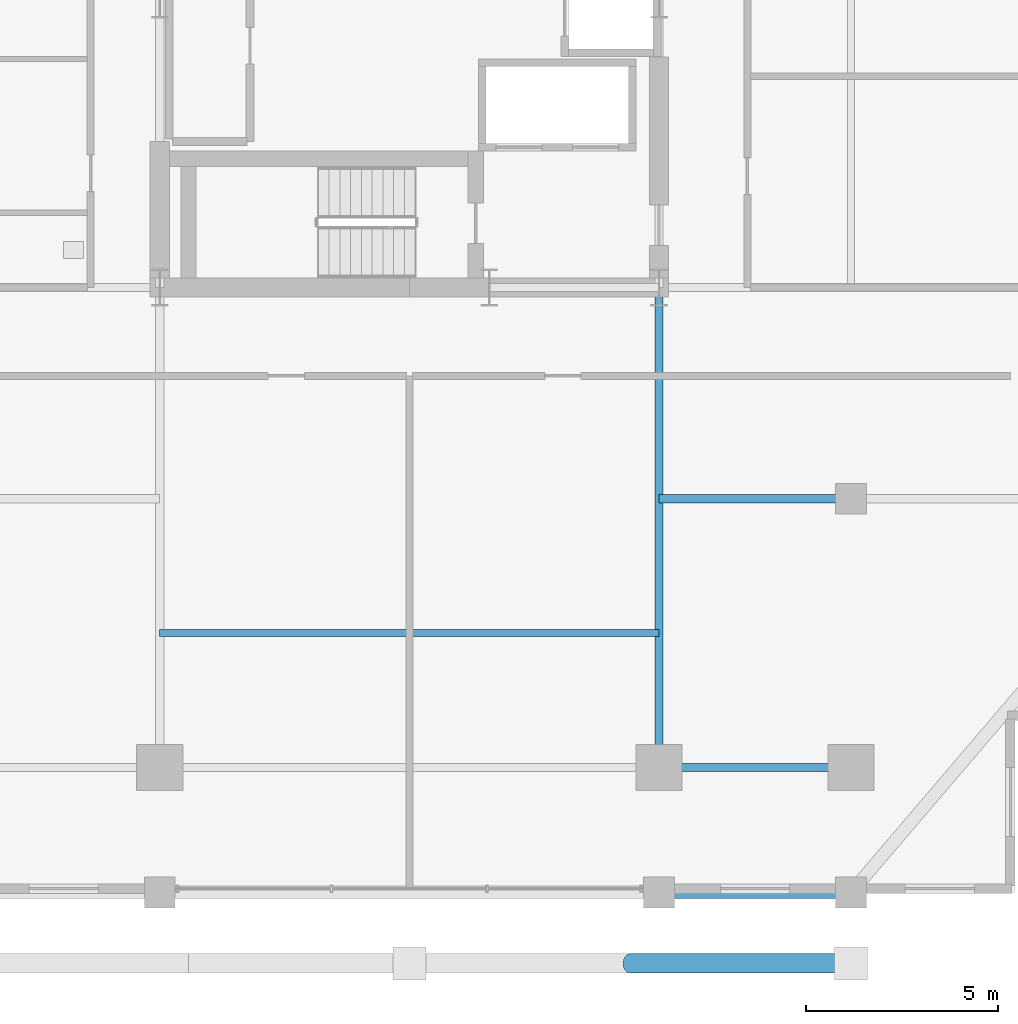
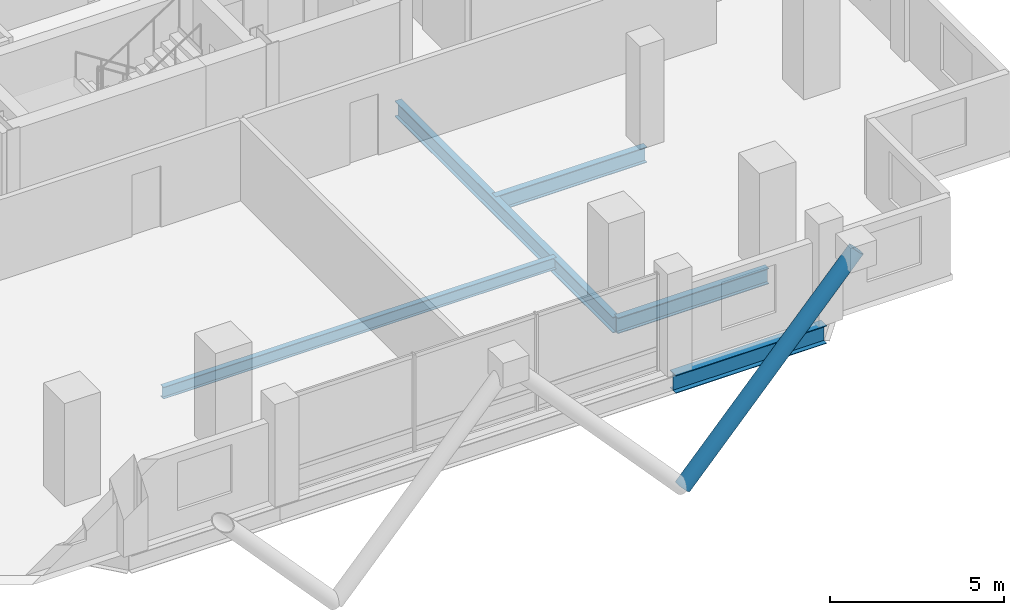
# One storey, part 3 of 22: 5 beams, 1 member.
"""IFC4 building model written with IfcOpenShell, lengths in metres."""

from ifc_helpers import new_model, si_unit, direction, frame, origin, origin_2d, place, context, subcontext, project, spatial, hollow_circle, i_section, extrude, material, material_profile, profile_set, type_object, element, save


model = new_model("IFC4")

# Units and contexts
model_context = context("Model", 3, precision=1e-05, world=origin(), true_north=direction((0.0, 1.0)))
body_context = subcontext(model_context, "Body", "Model", "MODEL_VIEW")
ifc_project = project(units=[si_unit("LENGTHUNIT", "METRE"), si_unit("AREAUNIT", "SQUARE_METRE"), si_unit("VOLUMEUNIT", "CUBIC_METRE"), si_unit("PLANEANGLEUNIT", "RADIAN"), si_unit("MASSUNIT", "GRAM", prefix="KILO")], contexts=[model_context])

# Site, building, storey
site_placement = place(None, origin())
site = spatial("IfcSite", under=ifc_project, at=site_placement, CompositionType="ELEMENT")
building_placement = place(site_placement, origin())
building = spatial("IfcBuilding", under=site, at=building_placement, Name="Barlavira Tower and Art Museum", CompositionType="ELEMENT")
storey_placement = place(building_placement, frame((0.0, 0.0, 129.60009765625)))
storey = spatial("IfcBuildingStorey", under=building, at=storey_placement, Name="L32", CompositionType="ELEMENT", Elevation=129.60009765625)

# Member
ifc_material = material(Name="Steel S355", Category="steel")
ifc_material_profile_1 = material_profile(ifc_material, hollow_circle(Radius=0.25390625, WallThickness=0.022216796875, at=origin_2d()), Name="CHS 508.0x22.2")
ifc_profile_set_1 = profile_set([ifc_material_profile_1], Name="Steel S355")
member_type = type_object("IfcMemberType", Name="Pale-Metal Exoskeleton Diagrid Tube CHS 508x22 Steel S355", PredefinedType="BRACE", material=ifc_profile_set_1)
member_placement = place(storey_placement, frame((5.75, -25.10009765625, -2.820068359375), z_axis=(0.67412750573, 0.0, 0.738614991736), x_axis=(0.0, 1.0, 0.0)))
element("IfcMember", 1, at=member_placement, inside=storey, type_object=member_type, Name="L32 Exoskeleton Diagrid Tube S", PredefinedType="BRACE", context=body_context, shape_type="SweptSolid", body=[
    extrude(hollow_circle(Radius=0.25390625, WallThickness=0.022216796875, at=origin_2d()), origin(), (0.0, 0.0, 1.0), 8.529541015625),
])

# Beams
ifc_material_profile_2 = material_profile(ifc_material, i_section(OverallWidth=0.327880859375, OverallDepth=0.62890625, WebThickness=0.013916015625, FlangeThickness=0.021484375, at=origin_2d()), Name="W610x174.0")
ifc_profile_set_2 = profile_set([ifc_material_profile_2], Name="Steel S355")
beam_type_1 = type_object("IfcBeamType", Name="Perimeter Spandrel Edge Beam W610x174 Steel S355", PredefinedType="SPANDREL", material=ifc_profile_set_2)
beam_1_placement = place(storey_placement, frame((6.5, -23.25, -0.53466796875), z_axis=(1.0, 0.0, 0.0), x_axis=(0.0, 1.0, 0.0)))
element("IfcBeam", 2, at=beam_1_placement, inside=storey, type_object=beam_type_1, Name="L32 Spandrel 3", PredefinedType="SPANDREL", context=body_context, shape_type="SweptSolid", body=[
    extrude(i_section(OverallWidth=0.327880859375, OverallDepth=0.62890625, WebThickness=0.013916015625, FlangeThickness=0.021484375, at=origin_2d()), origin(), (0.0, 0.0, 1.0), 5.0),
])
ifc_material_profile_3 = material_profile(ifc_material, i_section(OverallWidth=0.214111328125, OverallDepth=0.549072265625, WebThickness=0.0146484375, FlangeThickness=0.023681640625, at=origin_2d()), Name="W530x138.0")
ifc_profile_set_3 = profile_set([ifc_material_profile_3], Name="Steel S355")
beam_type_2 = type_object("IfcBeamType", Name="Zone 1 Primary Floor Girder W530x138 Steel S355", PredefinedType="BEAM", material=ifc_profile_set_3)
beam_2_placement = place(storey_placement, frame((6.5, -20.0, -0.49462890625), z_axis=(1.0, 0.0, 0.0), x_axis=(0.0, 1.0, 0.0)))
element("IfcBeam", 3, at=beam_2_placement, inside=storey, type_object=beam_type_2, Name="L32 Girder M-S3", PredefinedType="BEAM", context=body_context, shape_type="SweptSolid", body=[
    extrude(i_section(OverallWidth=0.214111328125, OverallDepth=0.549072265625, WebThickness=0.0146484375, FlangeThickness=0.023681640625, at=origin_2d()), origin(), (0.0, 0.0, 1.0), 5.0),
])
beam_3_placement = place(storey_placement, frame((6.5, -20.0, -0.49462890625), z_axis=(0.0, 1.0, 0.0), x_axis=(-1.0, 0.0, 0.0)))
element("IfcBeam", 4, at=beam_3_placement, inside=storey, type_object=beam_type_2, Name="L32 Girder R-S2", PredefinedType="BEAM", context=body_context, shape_type="SweptSolid", body=[
    extrude(i_section(OverallWidth=0.214111328125, OverallDepth=0.549072265625, WebThickness=0.0146484375, FlangeThickness=0.023681640625, at=origin_2d()), origin(), (0.0, 0.0, 1.0), 12.5),
])
beam_4_placement = place(storey_placement, frame((6.5, -13.0, -0.49462890625), z_axis=(1.0, 0.0, 0.0), x_axis=(0.0, 1.0, 0.0)))
element("IfcBeam", 5, at=beam_4_placement, inside=storey, type_object=beam_type_2, Name="L32 Girder I-S3", PredefinedType="BEAM", context=body_context, shape_type="SweptSolid", body=[
    extrude(i_section(OverallWidth=0.214111328125, OverallDepth=0.549072265625, WebThickness=0.0146484375, FlangeThickness=0.023681640625, at=origin_2d()), origin(), (0.0, 0.0, 1.0), 5.0),
])
ifc_material_profile_4 = material_profile(ifc_material, i_section(OverallWidth=0.179931640625, OverallDepth=0.4130859375, WebThickness=0.009765625, FlangeThickness=0.01611328125, at=origin_2d()), Name="W410x75.0")
ifc_profile_set_4 = profile_set([ifc_material_profile_4], Name="Steel S355")
beam_type_3 = type_object("IfcBeamType", Name="Zone 2 Composite Floor Joist W410x75 Steel S355", PredefinedType="JOIST", material=ifc_profile_set_4)
beam_5_placement = place(storey_placement, frame((-6.5, -16.5, -0.426513671875), z_axis=(1.0, 0.0, 0.0), x_axis=(0.0, 1.0, 0.0)))
element("IfcBeam", 6, at=beam_5_placement, inside=storey, type_object=beam_type_3, Name="L32 Joist C1", PredefinedType="JOIST", context=body_context, shape_type="SweptSolid", body=[
    extrude(i_section(OverallWidth=0.179931640625, OverallDepth=0.4130859375, WebThickness=0.009765625, FlangeThickness=0.01611328125, at=origin_2d()), origin(), (0.0, 0.0, 1.0), 13.0),
])

save(model, "model.ifc")
